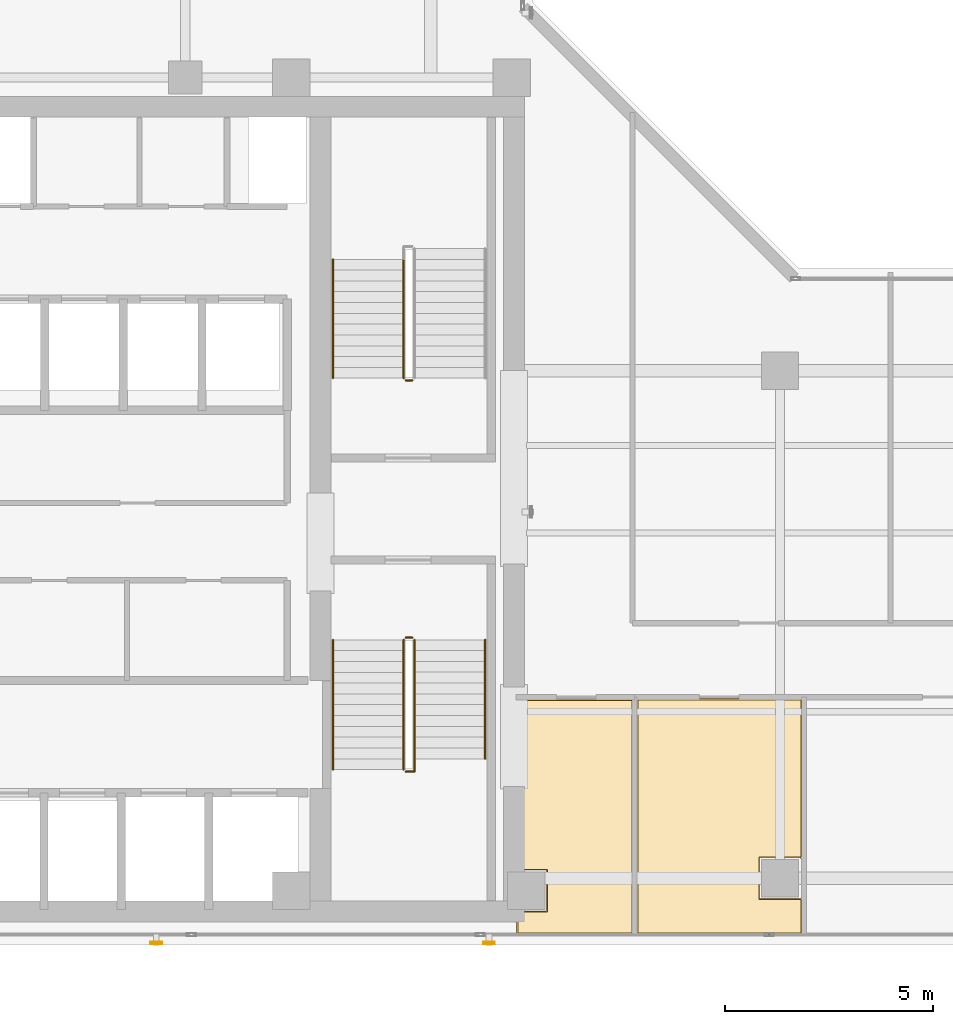
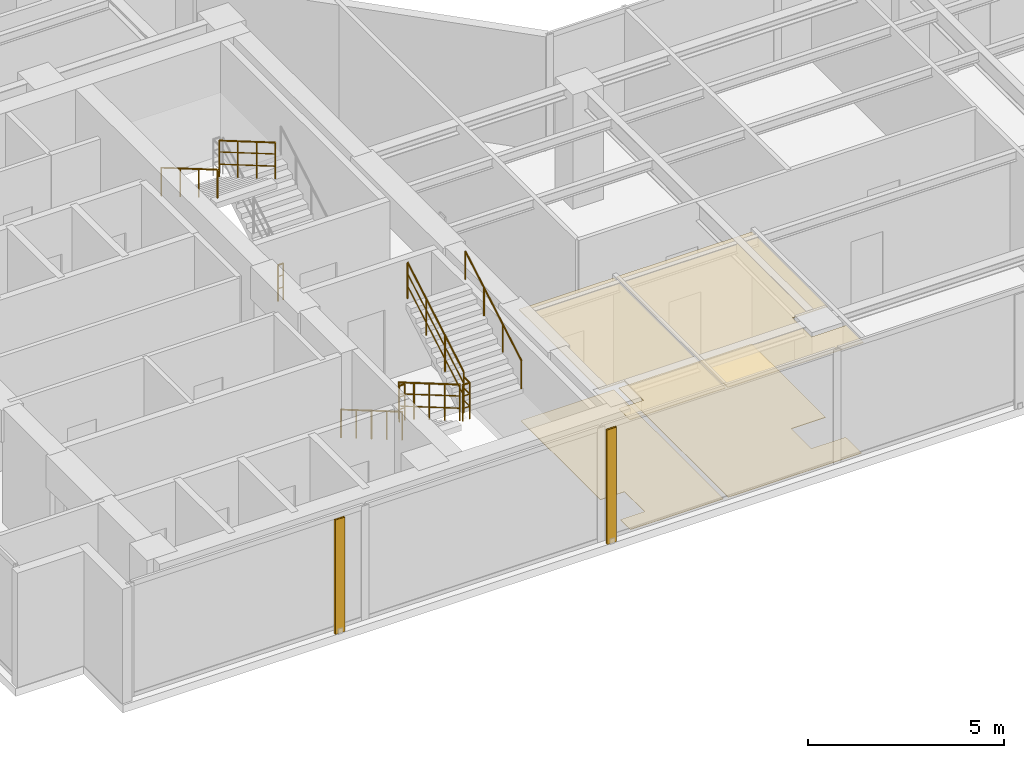
# One storey, part 20 of 24: 9 railings, 4 coverings, 2 shading devices.
"""IFC4 building model written with IfcOpenShell, lengths in metres."""

from ifc_helpers import new_model, si_unit, direction, frame, origin, origin_2d, place, context, subcontext, project, spatial, polyline, hollow_rectangle, circle, outline, extrude, material, layer, layer_set, material_profile, profile_set, type_object, element, save


model = new_model("IFC4")

# Units and contexts
model_context = context("Model", 3, precision=1e-05, world=origin(), true_north=direction((0.0, 1.0)))
body_context = subcontext(model_context, "Body", "Model", "MODEL_VIEW")
ifc_project = project(units=[si_unit("LENGTHUNIT", "METRE"), si_unit("AREAUNIT", "SQUARE_METRE"), si_unit("VOLUMEUNIT", "CUBIC_METRE"), si_unit("PLANEANGLEUNIT", "RADIAN"), si_unit("MASSUNIT", "GRAM", prefix="KILO")], contexts=[model_context])

# Site, building, storey
site_placement = place(None, origin())
site = spatial("IfcSite", under=ifc_project, at=site_placement, CompositionType="ELEMENT")
building_placement = place(site_placement, origin())
building = spatial("IfcBuilding", under=site, at=building_placement, Name="Kolvaren Waterfront Exchange", CompositionType="ELEMENT")
storey_placement = place(building_placement, frame((0.0, 0.0, 316.0)))
storey = spatial("IfcBuildingStorey", under=building, at=storey_placement, Name="L81", CompositionType="ELEMENT", Elevation=316.0)

# Coverings
ifc_material_1 = material(Name="Mineral fibre acoustic ceiling tile")
ifc_layer_1 = layer(ifc_material_1, 0.02490234375, Name="Mineral fibre acoustic ceiling tile")
ifc_layer_set_1 = layer_set([ifc_layer_1], Name="Mineral fibre acoustic ceiling tile")
covering_type_1 = type_object("IfcCoveringType", Name="ARC-CEIL-ACOUSTIC-25", PredefinedType="CEILING", material=ifc_layer_set_1)
covering_1_placement = place(storey_placement, frame((0.0, 0.0, 3.445068359375)))
element("IfcCovering", 1, at=covering_1_placement, inside=storey, type_object=covering_type_1, Name="L81 acoustic suspended ceiling 2", PredefinedType="CEILING", context=body_context, shape_type="SweptSolid", body=[
    extrude(outline(polyline([(20.864990234375, 5.389892578125), (21.590087890625, 5.389892578125), (21.590087890625, 4.409912109375), (20.864990234375, 4.409912109375), (20.864990234375, 3.844970703125), (23.675048828125, 3.844970703125), (23.675048828125, 9.5048828125), (20.864990234375, 9.5048828125), (20.864990234375, 5.389892578125)])), origin(), (0.0, 0.0, 1.0), 0.02490234375),
])
covering_2_placement = place(storey_placement, frame((0.0, 0.0, 3.445068359375)))
element("IfcCovering", 2, at=covering_2_placement, inside=storey, type_object=covering_type_1, Name="L81 acoustic suspended ceiling 3", PredefinedType="CEILING", context=body_context, shape_type="SweptSolid", body=[
    extrude(outline(polyline([(27.735107421875, 5.675048828125), (27.735107421875, 9.514892578125), (23.7451171875, 9.514892578125), (23.7451171875, 3.844970703125), (27.735107421875, 3.844970703125), (27.735107421875, 4.72509765625), (27.68994140625, 4.72509765625), (27.68994140625, 4.7099609375), (26.7099609375, 4.7099609375), (26.7099609375, 5.68994140625), (27.68994140625, 5.68994140625), (27.68994140625, 5.675048828125), (27.735107421875, 5.675048828125)])), origin(), (0.0, 0.0, 1.0), 0.02490234375),
])

# Shading devices
ifc_material_2 = material(Name="Anodised bronze aluminium 6063-T6", Category="aluminium")
ifc_material_profile = material_profile(ifc_material_2, hollow_rectangle(XDim=0.054931640625, YDim=0.280029296875, WallThickness=0.00439453125, at=origin_2d()), Name="BRZ-FIN-280x55x4.5")
ifc_profile_set = profile_set([ifc_material_profile], Name="Anodised bronze aluminium 6063-T6")
shading_device_type = type_object("IfcShadingDeviceType", Name="ARC-FIN-280", PredefinedType="USERDEFINED", material=ifc_profile_set)
for number, where, z_axis, x_axis, name in (
    (3, (12.199951171875, 3.639892578125, 0.0), (0.0, 0.0, 1.0), (0.0, -1.0, 0.0), "L81 anodised bronze solar shading fin FIN-L81-S1"),
    (4, (20.199951171875, 3.639892578125, 0.0), (0.0, 0.0, 1.0), (0.0, -1.0, 0.0), "L81 anodised bronze solar shading fin FIN-L81-S2"),
):
    element("IfcShadingDevice", number, at=place(storey_placement, frame(where, z_axis=z_axis, x_axis=x_axis)), inside=storey, type_object=shading_device_type, Name=name, ObjectType="SOLAR FIN", PredefinedType="USERDEFINED", context=body_context, shape_type="SweptSolid", body=[
        extrude(hollow_rectangle(XDim=0.054931640625, YDim=0.280029296875, WallThickness=0.00439453125, at=origin_2d()), origin(), (0.0, 0.0, 1.0), 3.56005859375),
    ])

# Coverings
ifc_material_3 = material(Name="Slip-resistant porcelain tile")
ifc_layer_2 = layer(ifc_material_3, 0.014892578125, Name="Slip-resistant porcelain tile")
ifc_layer_set_2 = layer_set([ifc_layer_2], Name="Slip-resistant porcelain tile")
covering_type_2 = type_object("IfcCoveringType", Name="ARC-FLR-PORC-15", PredefinedType="FLOORING", material=ifc_layer_set_2)
covering_3_placement = place(storey_placement, origin())
element("IfcCovering", 5, at=covering_3_placement, inside=storey, type_object=covering_type_2, Name="L81 floor finish 2", PredefinedType="FLOORING", context=body_context, shape_type="SweptSolid", body=[
    extrude(outline(polyline([(20.89990234375, 4.389892578125), (20.89990234375, 3.8798828125), (23.639892578125, 3.8798828125), (23.639892578125, 9.469970703125), (20.89990234375, 9.469970703125), (20.89990234375, 5.409912109375), (21.610107421875, 5.409912109375), (21.610107421875, 4.389892578125), (20.89990234375, 4.389892578125)])), origin(), (0.0, 0.0, 1.0), 0.014892578125),
])
covering_4_placement = place(storey_placement, origin())
element("IfcCovering", 6, at=covering_4_placement, inside=storey, type_object=covering_type_2, Name="L81 floor finish 3", PredefinedType="FLOORING", context=body_context, shape_type="SweptSolid", body=[
    extrude(outline(polyline([(23.780029296875, 9.47998046875), (23.780029296875, 3.8798828125), (27.699951171875, 3.8798828125), (27.699951171875, 4.68994140625), (26.68994140625, 4.68994140625), (26.68994140625, 5.7099609375), (27.699951171875, 5.7099609375), (27.699951171875, 9.47998046875), (23.780029296875, 9.47998046875)])), origin(), (0.0, 0.0, 1.0), 0.014892578125),
])

# Railings
ifc_material_4 = material(Name="Stainless steel 316", Category="steel")
railing_type_1 = type_object("IfcRailingType", Name="ARC-GUARD-STAIR", PredefinedType="GUARDRAIL", material=ifc_material_4)
railing_1_placement = place(storey_placement, frame((18.14990234375, 10.929931640625, 0.152099609375)))
element("IfcRailing", 7, at=railing_1_placement, inside=storey, type_object=railing_type_1, Name="L81 ST1 stair guard 1", PredefinedType="GUARDRAIL", context=body_context, shape_type="SweptSolid", body=[
    extrude(circle(Radius=0.02392578125, at=origin_2d()), frame((0.0, 0.0, 1.1259765625), z_axis=(0.0, -0.86329090724, 0.504706656858), x_axis=(1.0, 0.0, 0.0)), (0.0, 0.0, 1.0), 3.614013671875),
    extrude(circle(Radius=0.01611328125, at=origin_2d()), frame((0.0, 0.0, 0.390869140625), z_axis=(0.0, -0.86329090724, 0.504706656858), x_axis=(1.0, 0.0, 0.0)), (0.0, 0.0, 1.0), 3.614013671875),
    extrude(circle(Radius=0.01611328125, at=origin_2d()), frame((0.0, 0.0, 0.7705078125), z_axis=(0.0, -0.86329090724, 0.504706656858), x_axis=(1.0, 0.0, 0.0)), (0.0, 0.0, 1.0), 3.614013671875),
    extrude(circle(Radius=0.02099609375, at=origin_2d()), origin(), (0.0, 0.0, 1.0), 1.101806640625),
    extrude(circle(Radius=0.02099609375, at=origin_2d()), frame((0.0, -0.780029296875, 0.4560546875)), (0.0, 0.0, 1.0), 1.101806640625),
    extrude(circle(Radius=0.02099609375, at=origin_2d()), frame((0.0, -1.56005859375, 0.912109375)), (0.0, 0.0, 1.0), 1.101806640625),
    extrude(circle(Radius=0.02099609375, at=origin_2d()), frame((0.0, -2.33984375, 1.367919921875)), (0.0, 0.0, 1.0), 1.101806640625),
    extrude(circle(Radius=0.02099609375, at=origin_2d()), frame((0.0, -3.119873046875, 1.823974609375)), (0.0, 0.0, 1.0), 1.101806640625),
])
railing_2_placement = place(storey_placement, frame((18.199951171875, 7.760009765625, 1.97607421875)))
element("IfcRailing", 8, at=railing_2_placement, inside=storey, type_object=railing_type_1, Name="L81 ST1 stair guard 2", PredefinedType="GUARDRAIL", context=body_context, shape_type="SweptSolid", body=[
    extrude(circle(Radius=0.02392578125, at=origin_2d()), frame((0.0, 0.0, 1.1259765625), z_axis=(1.0, 0.0, 0.0), x_axis=(0.0, 1.0, 0.0)), (0.0, 0.0, 1.0), 0.2099609375),
    extrude(circle(Radius=0.01611328125, at=origin_2d()), frame((0.0, 0.0, 0.390869140625), z_axis=(1.0, 0.0, 0.0), x_axis=(0.0, 1.0, 0.0)), (0.0, 0.0, 1.0), 0.2099609375),
    extrude(circle(Radius=0.01611328125, at=origin_2d()), frame((0.0, 0.0, 0.7705078125), z_axis=(1.0, 0.0, 0.0), x_axis=(0.0, 1.0, 0.0)), (0.0, 0.0, 1.0), 0.2099609375),
    extrude(circle(Radius=0.02392578125, at=origin_2d()), frame((0.2099609375, 0.0, 1.1259765625), z_axis=(0.0, 1.0, 0.0), x_axis=(-1.0, 0.0, 0.0)), (0.0, 0.0, 1.0), 0.31005859375),
    extrude(circle(Radius=0.01611328125, at=origin_2d()), frame((0.2099609375, 0.0, 0.390869140625), z_axis=(0.0, 1.0, 0.0), x_axis=(-1.0, 0.0, 0.0)), (0.0, 0.0, 1.0), 0.31005859375),
    extrude(circle(Radius=0.01611328125, at=origin_2d()), frame((0.2099609375, 0.0, 0.7705078125), z_axis=(0.0, 1.0, 0.0), x_axis=(-1.0, 0.0, 0.0)), (0.0, 0.0, 1.0), 0.31005859375),
    extrude(circle(Radius=0.02099609375, at=origin_2d()), origin(), (0.0, 0.0, 1.0), 1.101806640625),
    extrude(circle(Radius=0.02099609375, at=origin_2d()), frame((0.2099609375, 0.0, 0.0)), (0.0, 0.0, 1.0), 1.101806640625),
    extrude(circle(Radius=0.02099609375, at=origin_2d()), frame((0.2099609375, 0.31005859375, 0.0)), (0.0, 0.0, 1.0), 1.101806640625),
])
railing_3_placement = place(storey_placement, frame((18.409912109375, 8.070068359375, 2.1279296875)))
element("IfcRailing", 9, at=railing_3_placement, inside=storey, type_object=railing_type_1, Name="L81 ST1 stair guard 3", PredefinedType="GUARDRAIL", context=body_context, shape_type="SweptSolid", body=[
    extrude(circle(Radius=0.02392578125, at=origin_2d()), frame((0.0, 0.0, 1.1259765625), z_axis=(0.0, 0.863270611444, 0.50474137082), x_axis=(-1.0, 0.0, 0.0)), (0.0, 0.0, 1.0), 3.312744140625),
    extrude(circle(Radius=0.01611328125, at=origin_2d()), frame((0.0, 0.0, 0.390869140625), z_axis=(0.0, 0.863270611444, 0.50474137082), x_axis=(-1.0, 0.0, 0.0)), (0.0, 0.0, 1.0), 3.312744140625),
    extrude(circle(Radius=0.01611328125, at=origin_2d()), frame((0.0, 0.0, 0.7705078125), z_axis=(0.0, 0.863270611444, 0.50474137082), x_axis=(-1.0, 0.0, 0.0)), (0.0, 0.0, 1.0), 3.312744140625),
    extrude(circle(Radius=0.02099609375, at=origin_2d()), origin(), (0.0, 0.0, 1.0), 1.101806640625),
    extrude(circle(Radius=0.02099609375, at=origin_2d()), frame((0.0, 0.953369140625, 0.557373046875)), (0.0, 0.0, 1.0), 1.101806640625),
    extrude(circle(Radius=0.02099609375, at=origin_2d()), frame((0.0, 1.906494140625, 1.11474609375)), (0.0, 0.0, 1.0), 1.101806640625),
    extrude(circle(Radius=0.02099609375, at=origin_2d()), frame((0.0, 2.85986328125, 1.672119140625)), (0.0, 0.0, 1.0), 1.101806640625),
])
railing_4_placement = place(storey_placement, frame((18.199951171875, 10.97998046875, 0.0)))
element("IfcRailing", 10, at=railing_4_placement, inside=storey, type_object=railing_type_1, Name="L81 ST1 stair guard 4", PredefinedType="GUARDRAIL", context=body_context, shape_type="SweptSolid", body=[
    extrude(circle(Radius=0.02392578125, at=origin_2d()), frame((0.0, 0.0, 1.1259765625), z_axis=(1.0, 0.0, 0.0), x_axis=(0.0, 1.0, 0.0)), (0.0, 0.0, 1.0), 0.16015625),
    extrude(circle(Radius=0.01611328125, at=origin_2d()), frame((0.0, 0.0, 0.390869140625), z_axis=(1.0, 0.0, 0.0), x_axis=(0.0, 1.0, 0.0)), (0.0, 0.0, 1.0), 0.16015625),
    extrude(circle(Radius=0.01611328125, at=origin_2d()), frame((0.0, 0.0, 0.7705078125), z_axis=(1.0, 0.0, 0.0), x_axis=(0.0, 1.0, 0.0)), (0.0, 0.0, 1.0), 0.16015625),
    extrude(circle(Radius=0.02099609375, at=origin_2d()), origin(), (0.0, 0.0, 1.0), 1.101806640625),
    extrude(circle(Radius=0.02099609375, at=origin_2d()), frame((0.16015625, 0.0, 0.0)), (0.0, 0.0, 1.0), 1.101806640625),
])
railing_5_placement = place(storey_placement, frame((18.14990234375, 20.080078125, 2.1279296875)))
element("IfcRailing", 11, at=railing_5_placement, inside=storey, type_object=railing_type_1, Name="L81 ST2 stair guard 3", PredefinedType="GUARDRAIL", context=body_context, shape_type="SweptSolid", body=[
    extrude(circle(Radius=0.02392578125, at=origin_2d()), frame((0.0, 0.0, 1.1259765625), z_axis=(0.0, -0.863289384635, 0.504709261235), x_axis=(1.0, 0.0, 0.0)), (0.0, 0.0, 1.0), 3.31298828125),
    extrude(circle(Radius=0.01611328125, at=origin_2d()), frame((0.0, 0.0, 0.390869140625), z_axis=(0.0, -0.863289384635, 0.504709261235), x_axis=(1.0, 0.0, 0.0)), (0.0, 0.0, 1.0), 3.31298828125),
    extrude(circle(Radius=0.01611328125, at=origin_2d()), frame((0.0, 0.0, 0.7705078125), z_axis=(0.0, -0.863289384635, 0.504709261235), x_axis=(1.0, 0.0, 0.0)), (0.0, 0.0, 1.0), 3.31298828125),
    extrude(circle(Radius=0.02099609375, at=origin_2d()), origin(), (0.0, 0.0, 1.0), 1.101806640625),
    extrude(circle(Radius=0.02099609375, at=origin_2d()), frame((0.0, -0.953369140625, 0.557373046875)), (0.0, 0.0, 1.0), 1.101806640625),
    extrude(circle(Radius=0.02099609375, at=origin_2d()), frame((0.0, -1.90673828125, 1.11474609375)), (0.0, 0.0, 1.0), 1.101806640625),
    extrude(circle(Radius=0.02099609375, at=origin_2d()), frame((0.0, -2.860107421875, 1.672119140625)), (0.0, 0.0, 1.0), 1.101806640625),
])
railing_6_placement = place(storey_placement, frame((18.360107421875, 17.169921875, 0.0)))
element("IfcRailing", 12, at=railing_6_placement, inside=storey, type_object=railing_type_1, Name="L81 ST2 stair guard 4", PredefinedType="GUARDRAIL", context=body_context, shape_type="SweptSolid", body=[
    extrude(circle(Radius=0.02392578125, at=origin_2d()), frame((0.0, 0.0, 1.1259765625), z_axis=(-1.0, 0.0, 0.0), x_axis=(0.0, -1.0, 0.0)), (0.0, 0.0, 1.0), 0.16015625),
    extrude(circle(Radius=0.01611328125, at=origin_2d()), frame((0.0, 0.0, 0.390869140625), z_axis=(-1.0, 0.0, 0.0), x_axis=(0.0, -1.0, 0.0)), (0.0, 0.0, 1.0), 0.16015625),
    extrude(circle(Radius=0.01611328125, at=origin_2d()), frame((0.0, 0.0, 0.7705078125), z_axis=(-1.0, 0.0, 0.0), x_axis=(0.0, -1.0, 0.0)), (0.0, 0.0, 1.0), 0.16015625),
    extrude(circle(Radius=0.02099609375, at=origin_2d()), origin(), (0.0, 0.0, 1.0), 1.101806640625),
    extrude(circle(Radius=0.02099609375, at=origin_2d()), frame((-0.16015625, 0.0, 0.0)), (0.0, 0.0, 1.0), 1.101806640625),
])
railing_type_2 = type_object("IfcRailingType", Name="ARC-HANDRAIL-900", PredefinedType="HANDRAIL", material=ifc_material_4)
railing_7_placement = place(storey_placement, frame((16.449951171875, 10.929931640625, 0.152099609375)))
element("IfcRailing", 13, at=railing_7_placement, inside=storey, type_object=railing_type_2, Name="L81 ST1 stair handrail 1", PredefinedType="HANDRAIL", context=body_context, shape_type="SweptSolid", body=[
    extrude(circle(Radius=0.02392578125, at=origin_2d()), frame((0.0, 0.0, 0.8759765625), z_axis=(0.0, -0.86329090724, 0.504706656858), x_axis=(1.0, 0.0, 0.0)), (0.0, 0.0, 1.0), 3.614013671875),
    extrude(circle(Radius=0.02099609375, at=origin_2d()), origin(), (0.0, 0.0, 1.0), 0.851806640625),
    extrude(circle(Radius=0.02099609375, at=origin_2d()), frame((0.0, -0.780029296875, 0.4560546875)), (0.0, 0.0, 1.0), 0.851806640625),
    extrude(circle(Radius=0.02099609375, at=origin_2d()), frame((0.0, -1.56005859375, 0.912109375)), (0.0, 0.0, 1.0), 0.851806640625),
    extrude(circle(Radius=0.02099609375, at=origin_2d()), frame((0.0, -2.33984375, 1.367919921875)), (0.0, 0.0, 1.0), 0.851806640625),
    extrude(circle(Radius=0.02099609375, at=origin_2d()), frame((0.0, -3.119873046875, 1.823974609375)), (0.0, 0.0, 1.0), 0.851806640625),
])
railing_8_placement = place(storey_placement, frame((20.110107421875, 8.070068359375, 2.1279296875)))
element("IfcRailing", 14, at=railing_8_placement, inside=storey, type_object=railing_type_2, Name="L81 ST1 stair handrail 2", PredefinedType="HANDRAIL", context=body_context, shape_type="SweptSolid", body=[
    extrude(circle(Radius=0.02392578125, at=origin_2d()), frame((0.0, 0.0, 0.8759765625), z_axis=(0.0, 0.863270611444, 0.50474137082), x_axis=(-1.0, 0.0, 0.0)), (0.0, 0.0, 1.0), 3.312744140625),
    extrude(circle(Radius=0.02099609375, at=origin_2d()), origin(), (0.0, 0.0, 1.0), 0.851806640625),
    extrude(circle(Radius=0.02099609375, at=origin_2d()), frame((0.0, 0.953369140625, 0.557373046875)), (0.0, 0.0, 1.0), 0.851806640625),
    extrude(circle(Radius=0.02099609375, at=origin_2d()), frame((0.0, 1.906494140625, 1.11474609375)), (0.0, 0.0, 1.0), 0.851806640625),
    extrude(circle(Radius=0.02099609375, at=origin_2d()), frame((0.0, 2.85986328125, 1.672119140625)), (0.0, 0.0, 1.0), 0.851806640625),
])
railing_9_placement = place(storey_placement, frame((16.449951171875, 20.080078125, 2.1279296875)))
element("IfcRailing", 15, at=railing_9_placement, inside=storey, type_object=railing_type_2, Name="L81 ST2 stair handrail 2", PredefinedType="HANDRAIL", context=body_context, shape_type="SweptSolid", body=[
    extrude(circle(Radius=0.02392578125, at=origin_2d()), frame((0.0, 0.0, 0.8759765625), z_axis=(0.0, -0.863289384635, 0.504709261235), x_axis=(1.0, 0.0, 0.0)), (0.0, 0.0, 1.0), 3.31298828125),
    extrude(circle(Radius=0.02099609375, at=origin_2d()), origin(), (0.0, 0.0, 1.0), 0.851806640625),
    extrude(circle(Radius=0.02099609375, at=origin_2d()), frame((0.0, -0.953369140625, 0.557373046875)), (0.0, 0.0, 1.0), 0.851806640625),
    extrude(circle(Radius=0.02099609375, at=origin_2d()), frame((0.0, -1.90673828125, 1.11474609375)), (0.0, 0.0, 1.0), 0.851806640625),
    extrude(circle(Radius=0.02099609375, at=origin_2d()), frame((0.0, -2.860107421875, 1.672119140625)), (0.0, 0.0, 1.0), 0.851806640625),
])

save(model, "model.ifc")
